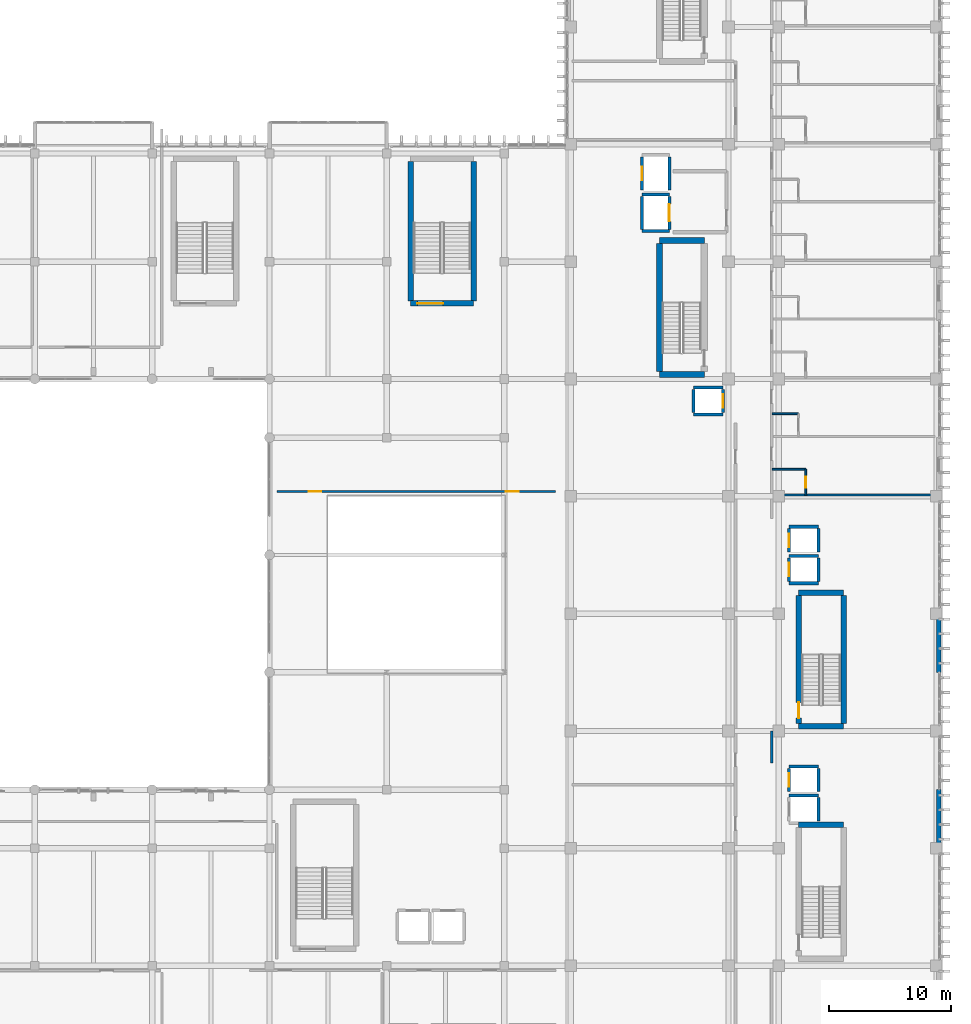
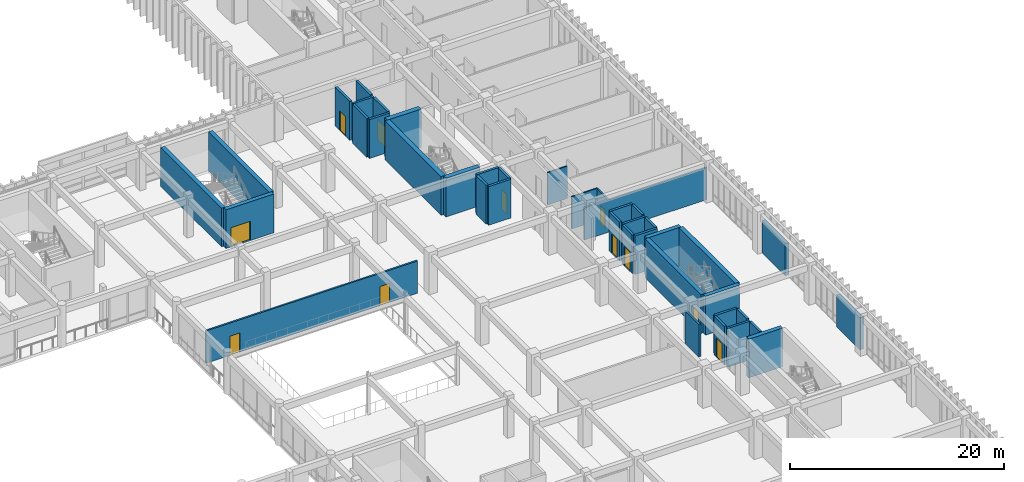
# One storey, part 105 of 133: 41 walls, 11 doors, 11 openings.
"""IFC4 building model written with IfcOpenShell, lengths in metres."""

from ifc_helpers import new_model, si_unit, direction, frame, frame_2d, origin, place, context, subcontext, project, spatial, rectangle, extrude, material, layer, layer_set, type_object, element, fill, save


model = new_model("IFC4")

# Units and contexts
model_context = context("Model", 3, precision=1e-05, world=origin(), true_north=direction((0.0, 1.0)))
body_context = subcontext(model_context, "Body", "Model", "MODEL_VIEW")
ifc_project = project(units=[si_unit("LENGTHUNIT", "METRE"), si_unit("AREAUNIT", "SQUARE_METRE"), si_unit("VOLUMEUNIT", "CUBIC_METRE"), si_unit("PLANEANGLEUNIT", "RADIAN"), si_unit("MASSUNIT", "GRAM", prefix="KILO")], contexts=[model_context])

# Site, building, storey
site_placement = place(None, origin())
site = spatial("IfcSite", under=ifc_project, at=site_placement, CompositionType="ELEMENT")
building_placement = place(site_placement, origin())
building = spatial("IfcBuilding", under=site, at=building_placement, Name="Nakhvara Creek Congress Hotel", CompositionType="ELEMENT")
storey_placement = place(building_placement, frame((0.0, 0.0, 11.39990234375)))
storey = spatial("IfcBuildingStorey", under=building, at=storey_placement, Name="L02", CompositionType="ELEMENT", Elevation=11.39990234375)

# Walls
ifc_material_1 = material(Name="Concrete C50/60", Category="concrete")
ifc_layer_1 = layer(ifc_material_1, 0.449951171875)
ifc_layer_set_1 = layer_set([ifc_layer_1], Name="Concrete C50/60")
wall_type_1 = type_object("IfcWallType", Name="W-CORE-450", PredefinedType="SHEAR", material=ifc_layer_set_1)
for number, where, z_axis, x_axis, name in (
    (1, (168.10009765625, 40.320068359375, 0.0), (0.0, 0.0, 1.0), (1.0, 0.0, 0.0), "Core Shear Wall WS02-CWALL-L02-0579"),
    (2, (168.10009765625, 48.3798828125, 0.0), (0.0, 0.0, 1.0), (1.0, 0.0, 0.0), "Core Shear Wall WS02-CWALL-L02-0665"),
    (3, (168.10009765625, 59.320068359375, 0.0), (0.0, 0.0, 1.0), (1.0, 0.0, 0.0), "Core Shear Wall WS02-CWALL-L02-0666"),
):
    element("IfcWall", number, at=place(storey_placement, frame(where, z_axis=z_axis, x_axis=x_axis)), inside=storey, type_object=wall_type_1, Name=name, PredefinedType="SHEAR", context=body_context, shape_type="SweptSolid", body=[
        extrude(rectangle(XDim=3.669921875, YDim=0.449951171875, at=frame_2d((1.8349609375, 0.0))), origin(), (0.0, 0.0, 1.0), 4.420166015625),
    ])

# Wall, opening, door
wall_1_placement = place(storey_placement, frame((168.10009765625, 48.60009765625, 0.0), z_axis=(0.0, 0.0, 1.0), x_axis=(0.0, 1.0, 0.0)))
wall_1 = element("IfcWall", 4, at=wall_1_placement, inside=storey, type_object=wall_type_1, Name="Core Shear Wall WS02-CWALL-L02-0667", PredefinedType="SHEAR", context=body_context, shape_type="SweptSolid", body=[
    extrude(rectangle(XDim=10.5, YDim=0.449951171875, at=frame_2d((5.25, 0.0))), origin(), (0.0, 0.0, 1.0), 4.420166015625),
])
opening_1_placement = place(wall_1_placement, frame((0.449951171875, 0.0, 0.0)))
opening_1 = element("IfcOpeningElement", 5, at=opening_1_placement, cuts=wall_1, Name="Opening FD04", PredefinedType="OPENING", context=body_context, shape_type="SweptSolid", body=[
    extrude(rectangle(XDim=1.300048828125, YDim=2.14990234375, at=frame_2d((0.64990234375, 1.074951171875))), frame((0.0, 0.23681640625, 0.0), z_axis=(0.0, -1.0, 0.0), x_axis=(1.0, 0.0, 0.0)), (0.0, 0.0, 1.0), 0.473876953125),
])
ifc_material_2 = material(Name="Powder-coated steel fire door", Category="steel")
door_type_1 = type_object("IfcDoorType", Name="DT-STAIR-130", OperationType="NOTDEFINED", PredefinedType="DOOR", material=ifc_material_2)
door_1_placement = place(opening_1_placement, origin())
door_1 = element("IfcDoor", 6, at=door_1_placement, inside=storey, type_object=door_type_1, Name="Stair Exit Door ST04-L02", OperationType="SINGLE_SWING_LEFT", OverallHeight=2.14990234375, OverallWidth=1.300048828125, PredefinedType="DOOR", context=body_context, shape_type="SweptSolid", body=[
    extrude(rectangle(XDim=1.300048828125, YDim=2.14990234375, at=frame_2d((0.64990234375, 1.074951171875))), frame((0.0, 0.02490234375, 0.0), z_axis=(0.0, -1.0, 0.0), x_axis=(1.0, 0.0, 0.0)), (0.0, 0.0, 1.0), 0.050048828125),
])
fill(opening_1, door_1)

# Wall
wall_2_placement = place(storey_placement, frame((171.77001953125, 48.60009765625, 0.0), z_axis=(0.0, 0.0, 1.0), x_axis=(0.0, 1.0, 0.0)))
element("IfcWall", 7, at=wall_2_placement, inside=storey, type_object=wall_type_1, Name="Core Shear Wall WS02-CWALL-L02-0668", PredefinedType="SHEAR", context=body_context, shape_type="SweptSolid", body=[
    extrude(rectangle(XDim=10.5, YDim=0.449951171875, at=frame_2d((5.25, 0.0))), origin(), (0.0, 0.0, 1.0), 4.420166015625),
])

# Wall, opening, door
wall_3_placement = place(storey_placement, frame((136.35009765625, 82.97998046875, 0.0), z_axis=(0.0, 0.0, 1.0), x_axis=(1.0, 0.0, 0.0)))
wall_3 = element("IfcWall", 8, at=wall_3_placement, inside=storey, type_object=wall_type_1, Name="Core Shear Wall WS02-CWALL-L02-0927", PredefinedType="SHEAR", context=body_context, shape_type="SweptSolid", body=[
    extrude(rectangle(XDim=5.14990234375, YDim=0.449951171875, at=frame_2d((2.574951171875, 0.0))), origin(), (0.0, 0.0, 1.0), 4.420166015625),
])
opening_2_placement = place(wall_3_placement, frame((0.550048828125, 0.0, 0.0)))
opening_2 = element("IfcOpeningElement", 9, at=opening_2_placement, cuts=wall_3, Name="Opening FD19", PredefinedType="OPENING", context=body_context, shape_type="SweptSolid", body=[
    extrude(rectangle(XDim=2.10009765625, YDim=2.199951171875, at=frame_2d((1.050048828125, 1.10009765625))), frame((0.0, 0.23681640625, 0.0), z_axis=(0.0, -1.0, 0.0), x_axis=(1.0, 0.0, 0.0)), (0.0, 0.0, 1.0), 0.473876953125),
])
ifc_material_3 = material(Name="Galvanised steel acoustic fire door", Category="steel")
door_type_2 = type_object("IfcDoorType", Name="DT-STAIR-220", OperationType="DOUBLE_DOOR_SINGLE_SWING", PredefinedType="DOOR", material=ifc_material_3)
door_2_placement = place(opening_2_placement, frame((2.10009765625, 0.0, 0.0), z_axis=(0.0, 0.0, 1.0), x_axis=(-1.0, 0.0, 0.0)))
door_2 = element("IfcDoor", 10, at=door_2_placement, inside=storey, type_object=door_type_2, Name="Stair Exit Door ST10-L02", OperationType="DOUBLE_DOOR_SINGLE_SWING", OverallHeight=2.199951171875, OverallWidth=2.10009765625, PredefinedType="DOOR", context=body_context, shape_type="SweptSolid", body=[
    extrude(rectangle(XDim=2.10009765625, YDim=2.199951171875, at=frame_2d((1.050048828125, 1.10009765625))), frame((0.0, 0.02490234375, 0.0), z_axis=(0.0, -1.0, 0.0), x_axis=(1.0, 0.0, 0.0)), (0.0, 0.0, 1.0), 0.050048828125),
])
fill(opening_2, door_2)

# Walls
for number, where, z_axis, x_axis, name in (
    (11, (136.35009765625, 83.199951171875, 0.0), (0.0, 0.0, 1.0), (0.0, 1.0, 0.0), "Core Shear Wall WS02-CWALL-L02-0929"),
    (12, (141.5, 83.199951171875, 0.0), (0.0, 0.0, 1.0), (0.0, 1.0, 0.0), "Core Shear Wall WS02-CWALL-L02-0930"),
):
    element("IfcWall", number, at=place(storey_placement, frame(where, z_axis=z_axis, x_axis=x_axis)), inside=storey, type_object=wall_type_1, Name=name, PredefinedType="SHEAR", context=body_context, shape_type="SweptSolid", body=[
        extrude(rectangle(XDim=11.400146484375, YDim=0.449951171875, at=frame_2d((5.7001953125, 0.0))), origin(), (0.0, 0.0, 1.0), 4.420166015625),
    ])
ifc_layer_2 = layer(ifc_material_1, 0.5)
ifc_layer_set_2 = layer_set([ifc_layer_2], Name="Concrete C50/60")
wall_type_2 = type_object("IfcWallType", Name="W-CORE-500", PredefinedType="SHEAR", material=ifc_layer_set_2)
for number, where, z_axis, x_axis, name in (
    (13, (156.699951171875, 77.179931640625, 0.0), (0.0, 0.0, 1.0), (1.0, 0.0, 0.0), "Core Shear Wall WS01-CWALL-L02-0073"),
    (14, (156.699951171875, 88.1201171875, 0.0), (0.0, 0.0, 1.0), (1.0, 0.0, 0.0), "Core Shear Wall WS01-CWALL-L02-0074"),
):
    element("IfcWall", number, at=place(storey_placement, frame(where, z_axis=z_axis, x_axis=x_axis)), inside=storey, type_object=wall_type_2, Name=name, PredefinedType="SHEAR", context=body_context, shape_type="SweptSolid", body=[
        extrude(rectangle(XDim=3.670166015625, YDim=0.5, at=frame_2d((1.8349609375, 0.0))), origin(), (0.0, 0.0, 1.0), 4.420166015625),
    ])
wall_4_placement = place(storey_placement, frame((156.699951171875, 77.39990234375, 0.0), z_axis=(0.0, 0.0, 1.0), x_axis=(0.0, 1.0, 0.0)))
element("IfcWall", 15, at=wall_4_placement, inside=storey, type_object=wall_type_2, Name="Core Shear Wall WS01-CWALL-L02-0075", PredefinedType="SHEAR", context=body_context, shape_type="SweptSolid", body=[
    extrude(rectangle(XDim=10.5, YDim=0.5, at=frame_2d((5.25, 0.0))), origin(), (0.0, 0.0, 1.0), 4.420166015625),
])
ifc_material_4 = material(Name="Gypsum acoustic board on steel stud", Category="steel")
ifc_layer_3 = layer(ifc_material_4, 0.219970703125)
ifc_layer_set_3 = layer_set([ifc_layer_3], Name="Gypsum acoustic board on steel stud")
wall_type_3 = type_object("IfcWallType", Name="W-CORR-220", PredefinedType="PARTITIONING", material=ifc_layer_set_3)
wall_5_placement = place(storey_placement, frame((165.8798828125, 45.39990234375, 0.0), z_axis=(0.0, 0.0, 1.0), x_axis=(0.0, 1.0, 0.0)))
element("IfcWall", 16, at=wall_5_placement, inside=storey, type_object=wall_type_3, Name="Interior Wall WP11-IW-L02-0123", PredefinedType="PARTITIONING", context=body_context, shape_type="SweptSolid", body=[
    extrude(rectangle(XDim=2.60009765625, YDim=0.219970703125, at=frame_2d((1.300048828125, 0.0))), origin(), (0.0, 0.0, 1.0), 3.692138671875),
])

# Wall, opening, door
ifc_material_5 = material(Name="Moisture-resistant gypsum board partition")
ifc_layer_4 = layer(ifc_material_5, 0.139892578125)
ifc_layer_set_4 = layer_set([ifc_layer_4], Name="Moisture-resistant gypsum board partition")
wall_type_4 = type_object("IfcWallType", Name="W-ENS-140", PredefinedType="PARTITIONING", material=ifc_layer_set_4)
wall_6_placement = place(storey_placement, frame((168.669921875, 67.300048828125, 0.0), z_axis=(0.0, 0.0, 1.0), x_axis=(0.0, 1.0, 0.0)))
wall_6 = element("IfcWall", 17, at=wall_6_placement, inside=storey, type_object=wall_type_4, Name="Interior Wall WP15-IW-L02-0174", PredefinedType="PARTITIONING", context=body_context, shape_type="SweptSolid", body=[
    extrude(rectangle(XDim=2.115966796875, YDim=0.139892578125, at=frame_2d((1.05810546875, 0.0))), origin(), (0.0, 0.0, 1.0), 3.692138671875),
])
opening_3_placement = place(wall_6_placement, frame((0.5830078125, 0.0, 0.0)))
opening_3 = element("IfcOpeningElement", 18, at=opening_3_placement, cuts=wall_6, Name="Opening ID01", PredefinedType="OPENING", context=body_context, shape_type="SweptSolid", body=[
    extrude(rectangle(XDim=0.919921875, YDim=2.10009765625, at=frame_2d((0.4599609375, 1.050048828125))), frame((0.0, 0.08203125, 0.0), z_axis=(0.0, -1.0, 0.0), x_axis=(1.0, 0.0, 0.0)), (0.0, 0.0, 1.0), 0.163818359375),
])
ifc_material_6 = material(Name="Moisture-resistant walnut timber door", Category="wood")
door_type_3 = type_object("IfcDoorType", Name="DT-ENS-092", OperationType="NOTDEFINED", PredefinedType="DOOR", material=ifc_material_6)
door_3_placement = place(opening_3_placement, frame((0.919921875, 0.0, 0.0), z_axis=(0.0, 0.0, 1.0), x_axis=(-1.0, 0.0, 0.0)))
door_3 = element("IfcDoor", 19, at=door_3_placement, inside=storey, type_object=door_type_3, Name="Interior Door ID01-0172", OperationType="SINGLE_SWING_LEFT", OverallHeight=2.10009765625, OverallWidth=0.919921875, PredefinedType="DOOR", context=body_context, shape_type="SweptSolid", body=[
    extrude(rectangle(XDim=0.919921875, YDim=2.10009765625, at=frame_2d((0.4599609375, 1.050048828125))), frame((0.0, 0.02490234375, 0.0), z_axis=(0.0, -1.0, 0.0), x_axis=(1.0, 0.0, 0.0)), (0.0, 0.0, 1.0), 0.050048828125),
])
fill(opening_3, door_3)

# Walls
wall_7_placement = place(storey_placement, frame((165.919921875, 69.416015625, 0.0), z_axis=(0.0, 0.0, 1.0), x_axis=(1.0, 0.0, 0.0)))
element("IfcWall", 20, at=wall_7_placement, inside=storey, type_object=wall_type_4, Name="Interior Wall WP15-IW-L02-0175", PredefinedType="PARTITIONING", context=body_context, shape_type="SweptSolid", body=[
    extrude(rectangle(XDim=2.75, YDim=0.139892578125, at=frame_2d((1.375, 0.0))), origin(), (0.0, 0.0, 1.0), 3.692138671875),
])
wall_8_placement = place(storey_placement, frame((165.919921875, 73.949951171875, 0.0), z_axis=(0.0, 0.0, 1.0), x_axis=(1.0, 0.0, 0.0)))
element("IfcWall", 21, at=wall_8_placement, inside=storey, type_object=wall_type_4, Name="Interior Wall WP15-IW-L02-0178", PredefinedType="PARTITIONING", context=body_context, shape_type="SweptSolid", body=[
    extrude(rectangle(XDim=2.150146484375, YDim=0.139892578125, at=frame_2d((1.0751953125, 0.0))), origin(), (0.0, 0.0, 1.0), 3.692138671875),
])
ifc_material_7 = material(Name="Honed pale Omani limestone cladding", Category="masonry")
ifc_layer_5 = layer(ifc_material_7, 0.050048828125)
ifc_material_8 = material(Name="Mineral wool thermal insulation")
ifc_layer_6 = layer(ifc_material_8, 0.110107421875)
ifc_material_9 = material(Name="Precast concrete C40/50", Category="concrete")
ifc_layer_7 = layer(ifc_material_9, 0.219970703125)
ifc_layer_set_5 = layer_set([ifc_layer_5, ifc_layer_6, ifc_layer_7], Name="Precast concrete C40/50")
wall_type_5 = type_object("IfcWallType", Name="W-EXT-380", PredefinedType="SOLIDWALL", material=ifc_layer_set_5)
for number, where, z_axis, x_axis, name in (
    (22, (179.56005859375, 43.199951171875, 0.0), (0.0, 0.0, 1.0), (0.0, -1.0, 0.0), "Exterior Wall WE03-EW-L02-0111"),
    (23, (179.56005859375, 57.14990234375, 0.0), (0.0, 0.0, 1.0), (0.0, -1.0, 0.0), "Exterior Wall WE03-EW-L02-0112"),
):
    element("IfcWall", number, at=place(storey_placement, frame(where, z_axis=z_axis, x_axis=x_axis)), inside=storey, type_object=wall_type_5, Name=name, PredefinedType="SOLIDWALL", context=body_context, shape_type="SweptSolid", body=[
        extrude(rectangle(XDim=4.349853515625, YDim=0.3798828125, at=frame_2d((2.1748046875, 0.0))), origin(), (0.0, 0.0, 1.0), 3.662109375),
    ])

# Wall, openings, doors
ifc_layer_8 = layer(ifc_material_4, 0.179931640625)
ifc_layer_set_6 = layer_set([ifc_layer_8], Name="Gypsum acoustic board on steel stud")
wall_type_6 = type_object("IfcWallType", Name="W-MEET-180", PredefinedType="PARTITIONING", material=ifc_layer_set_6)
wall_9_placement = place(storey_placement, frame((125.39990234375, 67.60009765625, 0.0), z_axis=(0.0, 0.0, 1.0), x_axis=(1.0, 0.0, 0.0)))
wall_9 = element("IfcWall", 24, at=wall_9_placement, inside=storey, type_object=wall_type_6, Name="Interior Wall WP13-IW-L02-0140", PredefinedType="PARTITIONING", context=body_context, shape_type="SweptSolid", body=[
    extrude(rectangle(XDim=22.800048828125, YDim=0.179931640625, at=frame_2d((11.39990234375, 0.0))), origin(), (0.0, 0.0, 1.0), 3.692138671875),
])
opening_4_placement = place(wall_9_placement, frame((2.60009765625, 0.0, 0.0)))
opening_4 = element("IfcOpeningElement", 25, at=opening_4_placement, cuts=wall_9, Name="Opening ID04", PredefinedType="OPENING", context=body_context, shape_type="SweptSolid", body=[
    extrude(rectangle(XDim=1.050048828125, YDim=2.179931640625, at=frame_2d((0.52490234375, 1.08984375))), frame((0.0, 0.10205078125, 0.0), z_axis=(0.0, -1.0, 0.0), x_axis=(1.0, 0.0, 0.0)), (0.0, 0.0, 1.0), 0.203857421875),
])
opening_5_placement = place(wall_9_placement, frame((18.75, 0.0, 0.0)))
opening_5 = element("IfcOpeningElement", 26, at=opening_5_placement, cuts=wall_9, Name="Opening ID04", PredefinedType="OPENING", context=body_context, shape_type="SweptSolid", body=[
    extrude(rectangle(XDim=1.050048828125, YDim=2.179931640625, at=frame_2d((0.52490234375, 1.08984375))), frame((0.0, 0.10205078125, 0.0), z_axis=(0.0, -1.0, 0.0), x_axis=(1.0, 0.0, 0.0)), (0.0, 0.0, 1.0), 0.203857421875),
])
ifc_material_10 = material(Name="Teak timber & frosted glass spa door", Category="wood")
door_type_4 = type_object("IfcDoorType", Name="DT-SPA-105", OperationType="NOTDEFINED", PredefinedType="DOOR", material=ifc_material_10)
door_4_placement = place(opening_4_placement, frame((1.050048828125, 0.0, 0.0), z_axis=(0.0, 0.0, 1.0), x_axis=(-1.0, 0.0, 0.0)))
door_4 = element("IfcDoor", 27, at=door_4_placement, inside=storey, type_object=door_type_4, Name="Interior Door ID04-0137", OperationType="SINGLE_SWING_RIGHT", OverallHeight=2.179931640625, OverallWidth=1.050048828125, PredefinedType="DOOR", context=body_context, shape_type="SweptSolid", body=[
    extrude(rectangle(XDim=1.050048828125, YDim=2.179931640625, at=frame_2d((0.52490234375, 1.08984375))), frame((0.0, 0.02490234375, 0.0), z_axis=(0.0, -1.0, 0.0), x_axis=(1.0, 0.0, 0.0)), (0.0, 0.0, 1.0), 0.050048828125),
])
fill(opening_4, door_4)
door_5_placement = place(opening_5_placement, frame((1.050048828125, 0.0, 0.0), z_axis=(0.0, 0.0, 1.0), x_axis=(-1.0, 0.0, 0.0)))
door_5 = element("IfcDoor", 28, at=door_5_placement, inside=storey, type_object=door_type_4, Name="Interior Door ID04-0138", OperationType="SINGLE_SWING_LEFT", OverallHeight=2.179931640625, OverallWidth=1.050048828125, PredefinedType="DOOR", context=body_context, shape_type="SweptSolid", body=[
    extrude(rectangle(XDim=1.050048828125, YDim=2.179931640625, at=frame_2d((0.52490234375, 1.08984375))), frame((0.0, 0.02490234375, 0.0), z_axis=(0.0, -1.0, 0.0), x_axis=(1.0, 0.0, 0.0)), (0.0, 0.0, 1.0), 0.050048828125),
])
fill(opening_5, door_5)

# Walls
wall_10_placement = place(storey_placement, frame((166.02001953125, 67.300048828125, 0.0), z_axis=(0.0, 0.0, 1.0), x_axis=(1.0, 0.0, 0.0)))
element("IfcWall", 29, at=wall_10_placement, inside=storey, type_object=wall_type_6, Name="Interior Wall WP13-IW-L02-0173", PredefinedType="PARTITIONING", context=body_context, shape_type="SweptSolid", body=[
    extrude(rectangle(XDim=13.22998046875, YDim=0.179931640625, at=frame_2d((6.614990234375, 0.0))), origin(), (0.0, 0.0, 1.0), 3.662109375),
])
ifc_material_11 = material(Name="Concrete C40/50", Category="concrete")
ifc_layer_9 = layer(ifc_material_11, 0.25)
ifc_layer_set_7 = layer_set([ifc_layer_9], Name="Concrete C40/50")
wall_type_7 = type_object("IfcWallType", Name="W-SHAFT-250", PredefinedType="SOLIDWALL", material=ifc_layer_set_7)
for number, where, z_axis, x_axis, name in (
    (30, (155.2900390625, 88.889892578125, 0.0), (0.0, 0.0, 1.0), (1.0, 0.0, 0.0), "Core Shear Wall WI02-CWALL-L02-0077"),
    (31, (155.2900390625, 91.909912109375, 0.0), (0.0, 0.0, 1.0), (1.0, 0.0, 0.0), "Core Shear Wall WI02-CWALL-L02-0078"),
):
    element("IfcWall", number, at=place(storey_placement, frame(where, z_axis=z_axis, x_axis=x_axis)), inside=storey, type_object=wall_type_7, Name=name, PredefinedType="SOLIDWALL", context=body_context, shape_type="SweptSolid", body=[
        extrude(rectangle(XDim=2.219970703125, YDim=0.25, at=frame_2d((1.10986328125, 0.0))), origin(), (0.0, 0.0, 1.0), 4.420166015625),
    ])
wall_11_placement = place(storey_placement, frame((155.2900390625, 89.050048828125, 0.0), z_axis=(0.0, 0.0, 1.0), x_axis=(0.0, 1.0, 0.0)))
element("IfcWall", 32, at=wall_11_placement, inside=storey, type_object=wall_type_7, Name="Core Shear Wall WI02-CWALL-L02-0079", PredefinedType="SOLIDWALL", context=body_context, shape_type="SweptSolid", body=[
    extrude(rectangle(XDim=2.699951171875, YDim=0.25, at=frame_2d((1.35009765625, 0.0))), origin(), (0.0, 0.0, 1.0), 4.420166015625),
])

# Wall, opening, door
wall_12_placement = place(storey_placement, frame((157.510009765625, 89.050048828125, 0.0), z_axis=(0.0, 0.0, 1.0), x_axis=(0.0, 1.0, 0.0)))
wall_12 = element("IfcWall", 33, at=wall_12_placement, inside=storey, type_object=wall_type_7, Name="Core Shear Wall WI02-CWALL-L02-0080", PredefinedType="SOLIDWALL", context=body_context, shape_type="SweptSolid", body=[
    extrude(rectangle(XDim=2.699951171875, YDim=0.25, at=frame_2d((1.35009765625, 0.0))), origin(), (0.0, 0.0, 1.0), 4.420166015625),
])
opening_6_placement = place(wall_12_placement, frame((0.64990234375, 0.0, 0.0)))
opening_6 = element("IfcOpeningElement", 34, at=opening_6_placement, cuts=wall_12, Name="Opening LD02", PredefinedType="OPENING", context=body_context, shape_type="SweptSolid", body=[
    extrude(rectangle(XDim=1.39990234375, YDim=2.300048828125, at=frame_2d((0.699951171875, 1.14990234375))), frame((0.0, 0.136962890625, 0.0), z_axis=(0.0, -1.0, 0.0), x_axis=(1.0, 0.0, 0.0)), (0.0, 0.0, 1.0), 0.27392578125),
])
ifc_material_12 = material(Name="Brushed stainless steel heavy goods landing door", Category="steel")
door_type_5 = type_object("IfcDoorType", Name="DT-LIFT-140", OperationType="DOUBLE_DOOR_SLIDING", PredefinedType="DOOR", material=ifc_material_12)
door_6_placement = place(opening_6_placement, origin())
door_6 = element("IfcDoor", 35, at=door_6_placement, inside=storey, type_object=door_type_5, Name="Landing Door FFL1-L02", OperationType="SLIDING_TO_LEFT", OverallHeight=2.300048828125, OverallWidth=1.39990234375, PredefinedType="DOOR", context=body_context, shape_type="SweptSolid", body=[
    extrude(rectangle(XDim=1.39990234375, YDim=2.300048828125, at=frame_2d((0.699951171875, 1.14990234375))), frame((0.0, 0.02490234375, 0.0), z_axis=(0.0, -1.0, 0.0), x_axis=(1.0, 0.0, 0.0)), (0.0, 0.0, 1.0), 0.050048828125),
])
fill(opening_6, door_6)

wall_13_placement = place(storey_placement, frame((155.2900390625, 92.25, 0.0), z_axis=(0.0, 0.0, 1.0), x_axis=(0.0, 1.0, 0.0)))
wall_13 = element("IfcWall", 36, at=wall_13_placement, inside=storey, type_object=wall_type_7, Name="Core Shear Wall WI02-CWALL-L02-0082", PredefinedType="SOLIDWALL", context=body_context, shape_type="SweptSolid", body=[
    extrude(rectangle(XDim=2.699951171875, YDim=0.25, at=frame_2d((1.35009765625, 0.0))), origin(), (0.0, 0.0, 1.0), 4.420166015625),
])
opening_7_placement = place(wall_13_placement, frame((0.800048828125, 0.0, 0.0)))
opening_7 = element("IfcOpeningElement", 37, at=opening_7_placement, cuts=wall_13, Name="Opening LD01", PredefinedType="OPENING", context=body_context, shape_type="SweptSolid", body=[
    extrude(rectangle(XDim=1.10009765625, YDim=2.199951171875, at=frame_2d((0.550048828125, 1.10009765625))), frame((0.0, 0.136962890625, 0.0), z_axis=(0.0, -1.0, 0.0), x_axis=(1.0, 0.0, 0.0)), (0.0, 0.0, 1.0), 0.27392578125),
])
ifc_material_13 = material(Name="Brushed stainless steel sliding landing door", Category="steel")
door_type_6 = type_object("IfcDoorType", Name="DT-LIFT-110", OperationType="DOUBLE_DOOR_SLIDING", PredefinedType="DOOR", material=ifc_material_13)
door_7_placement = place(opening_7_placement, origin())
door_7 = element("IfcDoor", 38, at=door_7_placement, inside=storey, type_object=door_type_6, Name="Landing Door SL01-L02", OperationType="SLIDING_TO_LEFT", OverallHeight=2.199951171875, OverallWidth=1.10009765625, PredefinedType="DOOR", context=body_context, shape_type="SweptSolid", body=[
    extrude(rectangle(XDim=1.10009765625, YDim=2.199951171875, at=frame_2d((0.550048828125, 1.10009765625))), frame((0.0, 0.02490234375, 0.0), z_axis=(0.0, -1.0, 0.0), x_axis=(1.0, 0.0, 0.0)), (0.0, 0.0, 1.0), 0.050048828125),
])
fill(opening_7, door_7)

# Walls
wall_14_placement = place(storey_placement, frame((157.510009765625, 92.25, 0.0), z_axis=(0.0, 0.0, 1.0), x_axis=(0.0, 1.0, 0.0)))
element("IfcWall", 39, at=wall_14_placement, inside=storey, type_object=wall_type_7, Name="Core Shear Wall WI02-CWALL-L02-0083", PredefinedType="SOLIDWALL", context=body_context, shape_type="SweptSolid", body=[
    extrude(rectangle(XDim=2.699951171875, YDim=0.25, at=frame_2d((1.35009765625, 0.0))), origin(), (0.0, 0.0, 1.0), 4.420166015625),
])
for number, where, z_axis, x_axis, name in (
    (40, (159.489990234375, 73.889892578125, 0.0), (0.0, 0.0, 1.0), (1.0, 0.0, 0.0), "Core Shear Wall WI02-CWALL-L02-0084"),
    (41, (159.489990234375, 76.110107421875, 0.0), (0.0, 0.0, 1.0), (1.0, 0.0, 0.0), "Core Shear Wall WI02-CWALL-L02-0085"),
):
    element("IfcWall", number, at=place(storey_placement, frame(where, z_axis=z_axis, x_axis=x_axis)), inside=storey, type_object=wall_type_7, Name=name, PredefinedType="SOLIDWALL", context=body_context, shape_type="SweptSolid", body=[
        extrude(rectangle(XDim=2.419921875, YDim=0.25, at=frame_2d((1.2099609375, 0.0))), origin(), (0.0, 0.0, 1.0), 4.420166015625),
    ])
wall_15_placement = place(storey_placement, frame((159.489990234375, 74.050048828125, 0.0), z_axis=(0.0, 0.0, 1.0), x_axis=(0.0, 1.0, 0.0)))
element("IfcWall", 42, at=wall_15_placement, inside=storey, type_object=wall_type_7, Name="Core Shear Wall WI02-CWALL-L02-0086", PredefinedType="SOLIDWALL", context=body_context, shape_type="SweptSolid", body=[
    extrude(rectangle(XDim=1.89990234375, YDim=0.25, at=frame_2d((0.949951171875, 0.0))), origin(), (0.0, 0.0, 1.0), 4.420166015625),
])

# Wall, opening, door
wall_16_placement = place(storey_placement, frame((161.909912109375, 74.050048828125, 0.0), z_axis=(0.0, 0.0, 1.0), x_axis=(0.0, 1.0, 0.0)))
wall_16 = element("IfcWall", 43, at=wall_16_placement, inside=storey, type_object=wall_type_7, Name="Core Shear Wall WI02-CWALL-L02-0087", PredefinedType="SOLIDWALL", context=body_context, shape_type="SweptSolid", body=[
    extrude(rectangle(XDim=1.89990234375, YDim=0.25, at=frame_2d((0.949951171875, 0.0))), origin(), (0.0, 0.0, 1.0), 4.420166015625),
])
opening_8_placement = place(wall_16_placement, frame((0.39990234375, 0.0, 0.0)))
opening_8 = element("IfcOpeningElement", 44, at=opening_8_placement, cuts=wall_16, Name="Opening LD01", PredefinedType="OPENING", context=body_context, shape_type="SweptSolid", body=[
    extrude(rectangle(XDim=1.10009765625, YDim=2.199951171875, at=frame_2d((0.550048828125, 1.10009765625))), frame((0.0, 0.136962890625, 0.0), z_axis=(0.0, -1.0, 0.0), x_axis=(1.0, 0.0, 0.0)), (0.0, 0.0, 1.0), 0.27392578125),
])
door_8_placement = place(opening_8_placement, origin())
door_8 = element("IfcDoor", 45, at=door_8_placement, inside=storey, type_object=door_type_6, Name="Landing Door PL02-L02", OperationType="SLIDING_TO_LEFT", OverallHeight=2.199951171875, OverallWidth=1.10009765625, PredefinedType="DOOR", context=body_context, shape_type="SweptSolid", body=[
    extrude(rectangle(XDim=1.10009765625, YDim=2.199951171875, at=frame_2d((0.550048828125, 1.10009765625))), frame((0.0, 0.02490234375, 0.0), z_axis=(0.0, -1.0, 0.0), x_axis=(1.0, 0.0, 0.0)), (0.0, 0.0, 1.0), 0.050048828125),
])
fill(opening_8, door_8)

# Walls
wall_17_placement = place(storey_placement, frame((167.2900390625, 42.7099609375, 0.0), z_axis=(0.0, 0.0, 1.0), x_axis=(1.0, 0.0, 0.0)))
element("IfcWall", 46, at=wall_17_placement, inside=storey, type_object=wall_type_7, Name="Core Shear Wall WI02-CWALL-L02-0583", PredefinedType="SOLIDWALL", context=body_context, shape_type="SweptSolid", body=[
    extrude(rectangle(XDim=2.419921875, YDim=0.25, at=frame_2d((1.2099609375, 0.0))), origin(), (0.0, 0.0, 1.0), 4.420166015625),
])
wall_18_placement = place(storey_placement, frame((169.7099609375, 40.64990234375, 0.0), z_axis=(0.0, 0.0, 1.0), x_axis=(0.0, 1.0, 0.0)))
element("IfcWall", 47, at=wall_18_placement, inside=storey, type_object=wall_type_7, Name="Core Shear Wall WI02-CWALL-L02-0585", PredefinedType="SOLIDWALL", context=body_context, shape_type="SweptSolid", body=[
    extrude(rectangle(XDim=1.900146484375, YDim=0.25, at=frame_2d((0.9501953125, 0.0))), origin(), (0.0, 0.0, 1.0), 4.420166015625),
])
wall_19_placement = place(storey_placement, frame((167.2900390625, 45.110107421875, 0.0), z_axis=(0.0, 0.0, 1.0), x_axis=(1.0, 0.0, 0.0)))
element("IfcWall", 48, at=wall_19_placement, inside=storey, type_object=wall_type_7, Name="Core Shear Wall WI02-CWALL-L02-0586", PredefinedType="SOLIDWALL", context=body_context, shape_type="SweptSolid", body=[
    extrude(rectangle(XDim=2.419921875, YDim=0.25, at=frame_2d((1.2099609375, 0.0))), origin(), (0.0, 0.0, 1.0), 4.420166015625),
])

# Wall, opening, door
wall_20_placement = place(storey_placement, frame((167.2900390625, 43.050048828125, 0.0), z_axis=(0.0, 0.0, 1.0), x_axis=(0.0, 1.0, 0.0)))
wall_20 = element("IfcWall", 49, at=wall_20_placement, inside=storey, type_object=wall_type_7, Name="Core Shear Wall WI02-CWALL-L02-0587", PredefinedType="SOLIDWALL", context=body_context, shape_type="SweptSolid", body=[
    extrude(rectangle(XDim=1.89990234375, YDim=0.25, at=frame_2d((0.949951171875, 0.0))), origin(), (0.0, 0.0, 1.0), 4.420166015625),
])
opening_9_placement = place(wall_20_placement, frame((0.39990234375, 0.0, 0.0)))
opening_9 = element("IfcOpeningElement", 50, at=opening_9_placement, cuts=wall_20, Name="Opening LD01", PredefinedType="OPENING", context=body_context, shape_type="SweptSolid", body=[
    extrude(rectangle(XDim=1.10009765625, YDim=2.199951171875, at=frame_2d((0.550048828125, 1.10009765625))), frame((0.0, 0.136962890625, 0.0), z_axis=(0.0, -1.0, 0.0), x_axis=(1.0, 0.0, 0.0)), (0.0, 0.0, 1.0), 0.27392578125),
])
door_9_placement = place(opening_9_placement, origin())
door_9 = element("IfcDoor", 51, at=door_9_placement, inside=storey, type_object=door_type_6, Name="Landing Door PL04-L02", OperationType="SLIDING_TO_LEFT", OverallHeight=2.199951171875, OverallWidth=1.10009765625, PredefinedType="DOOR", context=body_context, shape_type="SweptSolid", body=[
    extrude(rectangle(XDim=1.10009765625, YDim=2.199951171875, at=frame_2d((0.550048828125, 1.10009765625))), frame((0.0, 0.02490234375, 0.0), z_axis=(0.0, -1.0, 0.0), x_axis=(1.0, 0.0, 0.0)), (0.0, 0.0, 1.0), 0.050048828125),
])
fill(opening_9, door_9)

# Walls
wall_21_placement = place(storey_placement, frame((169.7099609375, 43.050048828125, 0.0), z_axis=(0.0, 0.0, 1.0), x_axis=(0.0, 1.0, 0.0)))
element("IfcWall", 52, at=wall_21_placement, inside=storey, type_object=wall_type_7, Name="Core Shear Wall WI02-CWALL-L02-0588", PredefinedType="SOLIDWALL", context=body_context, shape_type="SweptSolid", body=[
    extrude(rectangle(XDim=1.89990234375, YDim=0.25, at=frame_2d((0.949951171875, 0.0))), origin(), (0.0, 0.0, 1.0), 4.420166015625),
])
for number, where, z_axis, x_axis, name in (
    (53, (167.2900390625, 60.090087890625, 0.0), (0.0, 0.0, 1.0), (1.0, 0.0, 0.0), "Core Shear Wall WI02-CWALL-L02-0669"),
    (54, (167.2900390625, 62.31005859375, 0.0), (0.0, 0.0, 1.0), (1.0, 0.0, 0.0), "Core Shear Wall WI02-CWALL-L02-0670"),
):
    element("IfcWall", number, at=place(storey_placement, frame(where, z_axis=z_axis, x_axis=x_axis)), inside=storey, type_object=wall_type_7, Name=name, PredefinedType="SOLIDWALL", context=body_context, shape_type="SweptSolid", body=[
        extrude(rectangle(XDim=2.419921875, YDim=0.25, at=frame_2d((1.2099609375, 0.0))), origin(), (0.0, 0.0, 1.0), 4.420166015625),
    ])

# Wall, opening, door
wall_22_placement = place(storey_placement, frame((167.2900390625, 60.25, 0.0), z_axis=(0.0, 0.0, 1.0), x_axis=(0.0, 1.0, 0.0)))
wall_22 = element("IfcWall", 55, at=wall_22_placement, inside=storey, type_object=wall_type_7, Name="Core Shear Wall WI02-CWALL-L02-0671", PredefinedType="SOLIDWALL", context=body_context, shape_type="SweptSolid", body=[
    extrude(rectangle(XDim=1.89990234375, YDim=0.25, at=frame_2d((0.949951171875, 0.0))), origin(), (0.0, 0.0, 1.0), 4.420166015625),
])
opening_10_placement = place(wall_22_placement, frame((0.39990234375, 0.0, 0.0)))
opening_10 = element("IfcOpeningElement", 56, at=opening_10_placement, cuts=wall_22, Name="Opening LD01", PredefinedType="OPENING", context=body_context, shape_type="SweptSolid", body=[
    extrude(rectangle(XDim=1.10009765625, YDim=2.199951171875, at=frame_2d((0.550048828125, 1.10009765625))), frame((0.0, 0.136962890625, 0.0), z_axis=(0.0, -1.0, 0.0), x_axis=(1.0, 0.0, 0.0)), (0.0, 0.0, 1.0), 0.27392578125),
])
door_10_placement = place(opening_10_placement, origin())
door_10 = element("IfcDoor", 57, at=door_10_placement, inside=storey, type_object=door_type_6, Name="Landing Door PL05-L02", OperationType="SLIDING_TO_LEFT", OverallHeight=2.199951171875, OverallWidth=1.10009765625, PredefinedType="DOOR", context=body_context, shape_type="SweptSolid", body=[
    extrude(rectangle(XDim=1.10009765625, YDim=2.199951171875, at=frame_2d((0.550048828125, 1.10009765625))), frame((0.0, 0.02490234375, 0.0), z_axis=(0.0, -1.0, 0.0), x_axis=(1.0, 0.0, 0.0)), (0.0, 0.0, 1.0), 0.050048828125),
])
fill(opening_10, door_10)

# Walls
wall_23_placement = place(storey_placement, frame((169.7099609375, 60.25, 0.0), z_axis=(0.0, 0.0, 1.0), x_axis=(0.0, 1.0, 0.0)))
element("IfcWall", 58, at=wall_23_placement, inside=storey, type_object=wall_type_7, Name="Core Shear Wall WI02-CWALL-L02-0672", PredefinedType="SOLIDWALL", context=body_context, shape_type="SweptSolid", body=[
    extrude(rectangle(XDim=1.89990234375, YDim=0.25, at=frame_2d((0.949951171875, 0.0))), origin(), (0.0, 0.0, 1.0), 4.420166015625),
])
wall_24_placement = place(storey_placement, frame((167.2900390625, 64.7099609375, 0.0), z_axis=(0.0, 0.0, 1.0), x_axis=(1.0, 0.0, 0.0)))
element("IfcWall", 59, at=wall_24_placement, inside=storey, type_object=wall_type_7, Name="Core Shear Wall WI02-CWALL-L02-0673", PredefinedType="SOLIDWALL", context=body_context, shape_type="SweptSolid", body=[
    extrude(rectangle(XDim=2.419921875, YDim=0.25, at=frame_2d((1.2099609375, 0.0))), origin(), (0.0, 0.0, 1.0), 4.420166015625),
])

# Wall, opening, door
wall_25_placement = place(storey_placement, frame((167.2900390625, 62.64990234375, 0.0), z_axis=(0.0, 0.0, 1.0), x_axis=(0.0, 1.0, 0.0)))
wall_25 = element("IfcWall", 60, at=wall_25_placement, inside=storey, type_object=wall_type_7, Name="Core Shear Wall WI02-CWALL-L02-0674", PredefinedType="SOLIDWALL", context=body_context, shape_type="SweptSolid", body=[
    extrude(rectangle(XDim=1.900146484375, YDim=0.25, at=frame_2d((0.9501953125, 0.0))), origin(), (0.0, 0.0, 1.0), 4.420166015625),
])
opening_11_placement = place(wall_25_placement, frame((0.39990234375, 0.0, 0.0)))
opening_11 = element("IfcOpeningElement", 61, at=opening_11_placement, cuts=wall_25, Name="Opening LD01", PredefinedType="OPENING", context=body_context, shape_type="SweptSolid", body=[
    extrude(rectangle(XDim=1.10009765625, YDim=2.199951171875, at=frame_2d((0.550048828125, 1.10009765625))), frame((0.0, 0.136962890625, 0.0), z_axis=(0.0, -1.0, 0.0), x_axis=(1.0, 0.0, 0.0)), (0.0, 0.0, 1.0), 0.27392578125),
])
door_11_placement = place(opening_11_placement, origin())
door_11 = element("IfcDoor", 62, at=door_11_placement, inside=storey, type_object=door_type_6, Name="Landing Door PL06-L02", OperationType="SLIDING_TO_LEFT", OverallHeight=2.199951171875, OverallWidth=1.10009765625, PredefinedType="DOOR", context=body_context, shape_type="SweptSolid", body=[
    extrude(rectangle(XDim=1.10009765625, YDim=2.199951171875, at=frame_2d((0.550048828125, 1.10009765625))), frame((0.0, 0.02490234375, 0.0), z_axis=(0.0, -1.0, 0.0), x_axis=(1.0, 0.0, 0.0)), (0.0, 0.0, 1.0), 0.050048828125),
])
fill(opening_11, door_11)

# Wall
wall_26_placement = place(storey_placement, frame((169.7099609375, 62.64990234375, 0.0), z_axis=(0.0, 0.0, 1.0), x_axis=(0.0, 1.0, 0.0)))
element("IfcWall", 63, at=wall_26_placement, inside=storey, type_object=wall_type_7, Name="Core Shear Wall WI02-CWALL-L02-0675", PredefinedType="SOLIDWALL", context=body_context, shape_type="SweptSolid", body=[
    extrude(rectangle(XDim=1.900146484375, YDim=0.25, at=frame_2d((0.9501953125, 0.0))), origin(), (0.0, 0.0, 1.0), 4.420166015625),
])

save(model, "model.ifc")
